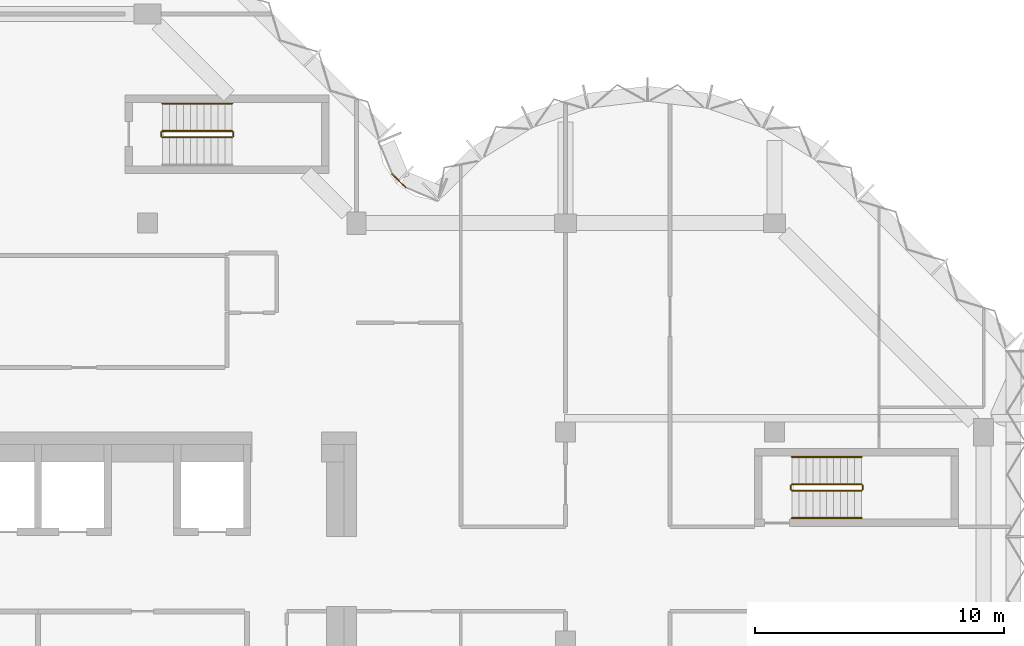
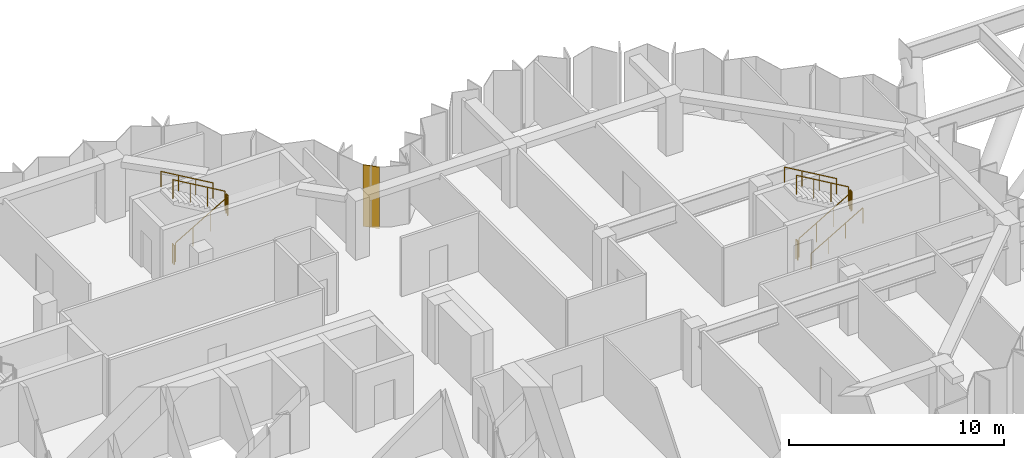
# One storey, part 11 of 11: 11 railings, 1 covering, 1 element without a shape of its own.
"""IFC4 building model written with IfcOpenShell, lengths in metres."""

import ifcopenshell
import ifcopenshell.guid

model = None  # the IFC model being written
_history = None  # IfcOwnerHistory: only IFC2X3 demands one
_inside = {}  # id of a spatial element -> (the spatial element, [elements in it])
_under = {}  # id of a project, library or spatial element -> (it, [spatial elements below it])
_declared = {}  # id of a project -> (the project, [libraries it declares])
_typed = {}  # id of a type object -> (the type object, [elements of that type])
_made_of = {}  # id of a material, layer set ... -> (it, [elements and type objects made of it])


def new_model(schema):
    """Start an empty IFC model of exactly this schema.

    Asked for "IFC4X3", IfcOpenShell would pick the latest addendum, in which some entities
    have other attributes; the version numbers below select the first issue.
    IFC2X3 requires an IfcOwnerHistory on every rooted entity: one is made here for all.
    """
    global model, _history
    if schema == "IFC4X3":
        model = ifcopenshell.file(schema_version=(4, 3, 0, 0))
    else:
        model = ifcopenshell.file(schema=schema)
    _inside.clear()
    _under.clear()
    _declared.clear()
    _typed.clear()
    _made_of.clear()
    _history = None
    if model.schema == "IFC2X3":
        org = make("IfcOrganization", Name="unknown")
        user = make(
            "IfcPersonAndOrganization",
            ThePerson=make("IfcPerson", FamilyName="unknown"),
            TheOrganization=org,
        )
        app = make(
            "IfcApplication",
            ApplicationDeveloper=org,
            Version="unknown",
            ApplicationFullName="unknown",
            ApplicationIdentifier="unknown",
        )
        _history = make(
            "IfcOwnerHistory",
            OwningUser=user,
            OwningApplication=app,
            ChangeAction="ADDED",
            CreationDate=0,
        )
    return model


def make(cls, **values):
    """One entity of the class cls with the attributes given. An attribute that is None is left unset."""
    return model.create_entity(
        cls, **{name: value for name, value in values.items() if value is not None}
    )


def rooted(cls, **values):
    """An entity with a GlobalId (a new one), such as an element, a storey or a relation."""
    return make(cls, GlobalId=ifcopenshell.guid.new(), OwnerHistory=_history, **values)


def si_unit(unit_type, name, prefix=None):
    """IfcSIUnit, for example si_unit("LENGTHUNIT", "METRE", prefix="MILLI")."""
    return make("IfcSIUnit", UnitType=unit_type, Prefix=prefix, Name=name)


def assignment(units):
    """IfcUnitAssignment: the units of a project."""
    return None if units is None else make("IfcUnitAssignment", Units=units)


def point(xyz):
    """IfcCartesianPoint."""
    return None if xyz is None else make("IfcCartesianPoint", Coordinates=xyz)


def direction(xyz):
    """IfcDirection."""
    return None if xyz is None else make("IfcDirection", DirectionRatios=xyz)


def frame(location, z_axis=None, x_axis=None):
    """IfcAxis2Placement3D, a coordinate frame: its origin and axes. An axis left out is left unset."""
    return make(
        "IfcAxis2Placement3D",
        Location=point(location),
        Axis=direction(z_axis),
        RefDirection=direction(x_axis),
    )


def frame_2d(location, x_axis=None):
    """IfcAxis2Placement2D, a coordinate frame in the plane: its origin and x axis."""
    return make(
        "IfcAxis2Placement2D", Location=point(location), RefDirection=direction(x_axis)
    )


def origin():
    """The frame at (0, 0, 0) with its axes left unset."""
    return frame((0.0, 0.0, 0.0))


def origin_2d():
    """The frame at (0, 0) in the plane with its x axis left unset."""
    return frame_2d((0.0, 0.0))


def place(relative_to, where):
    """IfcLocalPlacement: puts the frame where relative to a parent placement (None: the world)."""
    return make(
        "IfcLocalPlacement", PlacementRelTo=relative_to, RelativePlacement=where
    )


def context(
    kind, dimensions, precision=None, world=None, true_north=None, identifier=None
):
    """IfcGeometricRepresentationContext, for example the 3D "Model" context."""
    return make(
        "IfcGeometricRepresentationContext",
        ContextIdentifier=identifier,
        ContextType=kind,
        CoordinateSpaceDimension=dimensions,
        Precision=precision,
        WorldCoordinateSystem=world,
        TrueNorth=true_north,
    )


def subcontext(parent, identifier, kind, view, scale=None):
    """IfcGeometricRepresentationSubContext, for example "Body" below "Model"."""
    return make(
        "IfcGeometricRepresentationSubContext",
        ContextIdentifier=identifier,
        ContextType=kind,
        ParentContext=parent,
        TargetScale=scale,
        TargetView=view,
    )


def project(units=None, contexts=None):
    """IfcProject with its units and contexts."""
    return rooted(
        "IfcProject",
        Name="project",
        RepresentationContexts=contexts,
        UnitsInContext=assignment(units),
    )


def spatial(cls, under=None, at=None, **own):
    """A site, building, storey or space (cls), placed at a placement, below another one or the project."""
    s = rooted(cls, ObjectPlacement=at, **own)
    if under is not None:
        _under.setdefault(under.id(), (under, []))[1].append(s)
    return s


def polyline(points):
    """IfcPolyline through the points."""
    return make("IfcPolyline", Points=[point(p) for p in points])


def profile(cls, at=None, kind="AREA", **sizes):
    """A parametric profile (cls). Its sizes go by their IFC names, for example OverallWidth=200.0."""
    return make(cls, ProfileType=kind, Position=at, **sizes)


def circle(**sizes):
    """IfcCircleProfileDef."""
    return profile("IfcCircleProfileDef", **sizes)


def outline(outer, holes=None, kind="AREA"):
    """IfcArbitraryClosedProfileDef: a profile drawn as a closed curve; with holes, ...WithVoids."""
    if holes is None:
        return make("IfcArbitraryClosedProfileDef", ProfileType=kind, OuterCurve=outer)
    return make(
        "IfcArbitraryProfileDefWithVoids",
        ProfileType=kind,
        OuterCurve=outer,
        InnerCurves=holes,
    )


def extrude(swept, where, along, depth):
    """IfcExtrudedAreaSolid: the profile swept, set in the frame where, extruded along a direction by depth."""
    return make(
        "IfcExtrudedAreaSolid",
        SweptArea=swept,
        Position=where,
        ExtrudedDirection=direction(along),
        Depth=depth,
    )


def shape(context_of_items, identifier, shape_type, items):
    """IfcShapeRepresentation: the items that make up one representation, for example the "Body"."""
    return make(
        "IfcShapeRepresentation",
        ContextOfItems=context_of_items,
        RepresentationIdentifier=identifier,
        RepresentationType=shape_type,
        Items=items,
    )


def material(Name=None, Category=None):
    """IfcMaterial."""
    return make("IfcMaterial", Name=Name, Category=Category)


def layer(
    of_material, thickness, ventilated=None, Name=None, Category=None, Priority=None
):
    """IfcMaterialLayer: one layer of a wall or slab, of a material (None: an air gap)."""
    return make(
        "IfcMaterialLayer",
        Material=of_material,
        LayerThickness=thickness,
        IsVentilated=ventilated,
        Name=Name,
        Category=Category,
        Priority=Priority,
    )


def layer_set(layers, Name=None):
    """IfcMaterialLayerSet."""
    return make("IfcMaterialLayerSet", MaterialLayers=layers, LayerSetName=Name)


def made_of(thing, what):
    """Note that an element or type object is made of a material, layer set ...; save() writes the relation."""
    if what is not None:
        _made_of.setdefault(what.id(), (what, []))[1].append(thing)
    return thing


def type_object(cls, material=None, **own):
    """A type object (cls), such as IfcWallType, which elements share."""
    return made_of(rooted(cls, **own), material)


def element(
    cls,
    number,
    at=None,
    inside=None,
    cuts=None,
    type_object=None,
    material=None,
    context=None,
    identifier="Body",
    shape_type=None,
    held_by="IfcProductDefinitionShape",
    body=None,
    shapes=None,
    **own,
):
    """One element of the class cls, such as IfcWall. Its Tag is "e" and its number.

    at: its placement. inside: the storey or other place that contains it. cuts: it is an
    opening in that element (IfcRelVoidsElement). A single representation is given by context,
    identifier, shape_type and body (its items); several are given by shapes. held_by: the class
    of the entity that holds the representations. save() writes the other relations.
    """
    e = rooted(cls, Tag="e%d" % number, ObjectPlacement=at, **own)
    if body is not None:
        shapes = [shape(context, identifier, shape_type, body)]
    if shapes is not None:
        e.Representation = make(held_by, Representations=shapes)
    if inside is not None:
        _inside.setdefault(inside.id(), (inside, []))[1].append(e)
    if cuts is not None:
        rooted(
            "IfcRelVoidsElement", RelatingBuildingElement=cuts, RelatedOpeningElement=e
        )
    if type_object is not None:
        _typed.setdefault(type_object.id(), (type_object, []))[1].append(e)
    return made_of(e, material)


def aggregate(whole, parts):
    """IfcRelAggregates: a whole, such as a stair, and the parts it consists of."""
    return rooted("IfcRelAggregates", RelatingObject=whole, RelatedObjects=parts)


def save(model, path):
    """Write the relations noted so far, then the file.

    IfcRelAggregates (storeys below a building ...), IfcRelContainedInSpatialStructure (elements
    in a storey), IfcRelDefinesByType, IfcRelAssociatesMaterial and IfcRelDeclares: one each for
    every whole, place, type object, material and project.
    """
    for whole, parts in _under.values():
        aggregate(whole, parts)
    for where, things in _inside.values():
        rooted(
            "IfcRelContainedInSpatialStructure",
            RelatedElements=things,
            RelatingStructure=where,
        )
    for kind, things in _typed.values():
        rooted("IfcRelDefinesByType", RelatedObjects=things, RelatingType=kind)
    for what, things in _made_of.values():
        rooted("IfcRelAssociatesMaterial", RelatedObjects=things, RelatingMaterial=what)
    for by, libraries in _declared.values():
        rooted("IfcRelDeclares", RelatingContext=by, RelatedDefinitions=libraries)
    model.write(path)


model = new_model("IFC4")

# Units and contexts
model_context = context("Model", 3, precision=1e-05, world=origin(), true_north=direction((0.0, 1.0)))
body_context = subcontext(model_context, "Body", "Model", "MODEL_VIEW")
ifc_project = project(units=[si_unit("LENGTHUNIT", "METRE"), si_unit("AREAUNIT", "SQUARE_METRE"), si_unit("VOLUMEUNIT", "CUBIC_METRE"), si_unit("PLANEANGLEUNIT", "RADIAN"), si_unit("MASSUNIT", "GRAM", prefix="KILO")], contexts=[model_context])

# Site, building, storey
site_placement = place(None, origin())
site = spatial("IfcSite", under=ifc_project, at=site_placement, CompositionType="ELEMENT")
building_placement = place(site_placement, origin())
building = spatial("IfcBuilding", under=site, at=building_placement, Name="Brevane Broadcast Tower", CompositionType="ELEMENT")
storey_placement = place(building_placement, frame((0.0, 0.0, 219.300048828125)))
storey = spatial("IfcBuildingStorey", under=building, at=storey_placement, Name="L55", CompositionType="ELEMENT", Elevation=219.300048828125)

# Railings
ifc_material_1 = material(Name="Steel S355", Category="steel")
railing_type_1 = type_object("IfcRailingType", Name="Exit stair guard", PredefinedType="GUARDRAIL", material=ifc_material_1)
railing_1_placement = place(storey_placement, frame((17.39990234375, 28.64990234375, 0.16357421875)))
element("IfcRailing", 1, at=railing_1_placement, inside=storey, type_object=railing_type_1, Name="L55 ST-3 stair guard 1", PredefinedType="GUARDRAIL", context=body_context, shape_type="SweptSolid", body=[
    extrude(circle(Radius=0.02392578125, at=origin_2d()), frame((0.0, 0.0, 1.076171875), z_axis=(0.863360870873, 0.0, 0.504586966384), x_axis=(0.0, 1.0, 0.0)), (0.0, 0.0, 1.0), 3.2431640625),
    extrude(circle(Radius=0.02099609375, at=origin_2d()), origin(), (0.0, 0.0, 1.0), 1.052001953125),
    extrude(circle(Radius=0.02099609375, at=origin_2d()), frame((0.933349609375, 0.0, 0.54541015625)), (0.0, 0.0, 1.0), 1.052001953125),
    extrude(circle(Radius=0.02099609375, at=origin_2d()), frame((1.86669921875, 0.0, 1.091064453125)), (0.0, 0.0, 1.0), 1.052001953125),
    extrude(circle(Radius=0.02099609375, at=origin_2d()), frame((2.800048828125, 0.0, 1.636474609375)), (0.0, 0.0, 1.0), 1.052001953125),
])
railing_2_placement = place(storey_placement, frame((20.25, 28.699951171875, 1.800048828125)))
element("IfcRailing", 2, at=railing_2_placement, inside=storey, type_object=railing_type_1, Name="L55 ST-3 stair guard 2", PredefinedType="GUARDRAIL", context=body_context, shape_type="SweptSolid", body=[
    extrude(circle(Radius=0.02392578125, at=origin_2d()), frame((0.0, 0.0, 1.076171875), z_axis=(0.0, 1.0, 0.0), x_axis=(-1.0, 0.0, 0.0)), (0.0, 0.0, 1.0), 0.150146484375),
    extrude(circle(Radius=0.02099609375, at=origin_2d()), origin(), (0.0, 0.0, 1.0), 1.052001953125),
    extrude(circle(Radius=0.02099609375, at=origin_2d()), frame((0.0, 0.150146484375, 0.0)), (0.0, 0.0, 1.0), 1.052001953125),
])
railing_3_placement = place(storey_placement, frame((20.199951171875, 28.89990234375, 1.963623046875)))
element("IfcRailing", 3, at=railing_3_placement, inside=storey, type_object=railing_type_1, Name="L55 ST-3 stair guard 3", PredefinedType="GUARDRAIL", context=body_context, shape_type="SweptSolid", body=[
    extrude(circle(Radius=0.02392578125, at=origin_2d()), frame((0.0, 0.0, 1.076171875), z_axis=(-0.863393664356, 0.0, 0.504530851732), x_axis=(0.0, -1.0, 0.0)), (0.0, 0.0, 1.0), 3.2431640625),
    extrude(circle(Radius=0.02099609375, at=origin_2d()), origin(), (0.0, 0.0, 1.0), 1.052001953125),
    extrude(circle(Radius=0.02099609375, at=origin_2d()), frame((-0.933349609375, 0.0, 0.54541015625)), (0.0, 0.0, 1.0), 1.052001953125),
    extrude(circle(Radius=0.02099609375, at=origin_2d()), frame((-1.86669921875, 0.0, 1.0908203125)), (0.0, 0.0, 1.0), 1.052001953125),
    extrude(circle(Radius=0.02099609375, at=origin_2d()), frame((-2.800048828125, 0.0, 1.63623046875)), (0.0, 0.0, 1.0), 1.052001953125),
])
railing_4_placement = place(storey_placement, frame((17.35009765625, 28.699951171875, 0.0)))
element("IfcRailing", 4, at=railing_4_placement, inside=storey, type_object=railing_type_1, Name="L55 ST-3 stair guard 4", PredefinedType="GUARDRAIL", context=body_context, shape_type="SweptSolid", body=[
    extrude(circle(Radius=0.02392578125, at=origin_2d()), frame((0.0, 0.0, 1.076171875), z_axis=(0.0, 1.0, 0.0), x_axis=(-1.0, 0.0, 0.0)), (0.0, 0.0, 1.0), 0.150146484375),
    extrude(circle(Radius=0.02099609375, at=origin_2d()), origin(), (0.0, 0.0, 1.0), 1.052001953125),
    extrude(circle(Radius=0.02099609375, at=origin_2d()), frame((0.0, 0.150146484375, 0.0)), (0.0, 0.0, 1.0), 1.052001953125),
])
railing_5_placement = place(storey_placement, frame((42.699951171875, 14.449951171875, 0.16357421875)))
element("IfcRailing", 5, at=railing_5_placement, inside=storey, type_object=railing_type_1, Name="L55 ST-4 stair guard 1", PredefinedType="GUARDRAIL", context=body_context, shape_type="SweptSolid", body=[
    extrude(circle(Radius=0.02392578125, at=origin_2d()), frame((0.0, 0.0, 1.076171875), z_axis=(0.863360870873, 0.0, 0.504586966384), x_axis=(0.0, 1.0, 0.0)), (0.0, 0.0, 1.0), 3.2431640625),
    extrude(circle(Radius=0.02099609375, at=origin_2d()), origin(), (0.0, 0.0, 1.0), 1.052001953125),
    extrude(circle(Radius=0.02099609375, at=origin_2d()), frame((0.933349609375, 0.0, 0.54541015625)), (0.0, 0.0, 1.0), 1.052001953125),
    extrude(circle(Radius=0.02099609375, at=origin_2d()), frame((1.86669921875, 0.0, 1.091064453125)), (0.0, 0.0, 1.0), 1.052001953125),
    extrude(circle(Radius=0.02099609375, at=origin_2d()), frame((2.800048828125, 0.0, 1.636474609375)), (0.0, 0.0, 1.0), 1.052001953125),
])
railing_6_placement = place(storey_placement, frame((45.550048828125, 14.5, 1.800048828125)))
element("IfcRailing", 6, at=railing_6_placement, inside=storey, type_object=railing_type_1, Name="L55 ST-4 stair guard 2", PredefinedType="GUARDRAIL", context=body_context, shape_type="SweptSolid", body=[
    extrude(circle(Radius=0.02392578125, at=origin_2d()), frame((0.0, 0.0, 1.076171875), z_axis=(0.0, 1.0, 0.0), x_axis=(-1.0, 0.0, 0.0)), (0.0, 0.0, 1.0), 0.14990234375),
    extrude(circle(Radius=0.02099609375, at=origin_2d()), origin(), (0.0, 0.0, 1.0), 1.052001953125),
    extrude(circle(Radius=0.02099609375, at=origin_2d()), frame((0.0, 0.14990234375, 0.0)), (0.0, 0.0, 1.0), 1.052001953125),
])
railing_7_placement = place(storey_placement, frame((45.5, 14.699951171875, 1.963623046875)))
element("IfcRailing", 7, at=railing_7_placement, inside=storey, type_object=railing_type_1, Name="L55 ST-4 stair guard 3", PredefinedType="GUARDRAIL", context=body_context, shape_type="SweptSolid", body=[
    extrude(circle(Radius=0.02392578125, at=origin_2d()), frame((0.0, 0.0, 1.076171875), z_axis=(-0.863393664356, 0.0, 0.504530851732), x_axis=(0.0, -1.0, 0.0)), (0.0, 0.0, 1.0), 3.2431640625),
    extrude(circle(Radius=0.02099609375, at=origin_2d()), origin(), (0.0, 0.0, 1.0), 1.052001953125),
    extrude(circle(Radius=0.02099609375, at=origin_2d()), frame((-0.933349609375, 0.0, 0.54541015625)), (0.0, 0.0, 1.0), 1.052001953125),
    extrude(circle(Radius=0.02099609375, at=origin_2d()), frame((-1.86669921875, 0.0, 1.0908203125)), (0.0, 0.0, 1.0), 1.052001953125),
    extrude(circle(Radius=0.02099609375, at=origin_2d()), frame((-2.800048828125, 0.0, 1.63623046875)), (0.0, 0.0, 1.0), 1.052001953125),
])
railing_8_placement = place(storey_placement, frame((42.64990234375, 14.5, 0.0)))
element("IfcRailing", 8, at=railing_8_placement, inside=storey, type_object=railing_type_1, Name="L55 ST-4 stair guard 4", PredefinedType="GUARDRAIL", context=body_context, shape_type="SweptSolid", body=[
    extrude(circle(Radius=0.02392578125, at=origin_2d()), frame((0.0, 0.0, 1.076171875), z_axis=(0.0, 1.0, 0.0), x_axis=(-1.0, 0.0, 0.0)), (0.0, 0.0, 1.0), 0.14990234375),
    extrude(circle(Radius=0.02099609375, at=origin_2d()), origin(), (0.0, 0.0, 1.0), 1.052001953125),
    extrude(circle(Radius=0.02099609375, at=origin_2d()), frame((0.0, 0.14990234375, 0.0)), (0.0, 0.0, 1.0), 1.052001953125),
])
railing_type_2 = type_object("IfcRailingType", Name="Exit stair handrail", PredefinedType="HANDRAIL", material=ifc_material_1)
railing_9_placement = place(storey_placement, frame((20.199951171875, 30.0, 1.963623046875)))
element("IfcRailing", 9, at=railing_9_placement, inside=storey, type_object=railing_type_2, Name="L55 ST-3 stair handrail 2", PredefinedType="HANDRAIL", context=body_context, shape_type="SweptSolid", body=[
    extrude(circle(Radius=0.02392578125, at=origin_2d()), frame((0.0, 0.0, 0.8759765625), z_axis=(-0.863393664356, 0.0, 0.504530851732), x_axis=(0.0, -1.0, 0.0)), (0.0, 0.0, 1.0), 3.2431640625),
    extrude(circle(Radius=0.02099609375, at=origin_2d()), origin(), (0.0, 0.0, 1.0), 0.851806640625),
    extrude(circle(Radius=0.02099609375, at=origin_2d()), frame((-0.933349609375, 0.0, 0.54541015625)), (0.0, 0.0, 1.0), 0.851806640625),
    extrude(circle(Radius=0.02099609375, at=origin_2d()), frame((-1.86669921875, 0.0, 1.0908203125)), (0.0, 0.0, 1.0), 0.851806640625),
    extrude(circle(Radius=0.02099609375, at=origin_2d()), frame((-2.800048828125, 0.0, 1.63623046875)), (0.0, 0.0, 1.0), 0.851806640625),
])
railing_10_placement = place(storey_placement, frame((42.699951171875, 13.35009765625, 0.16357421875)))
element("IfcRailing", 10, at=railing_10_placement, inside=storey, type_object=railing_type_2, Name="L55 ST-4 stair handrail 1", PredefinedType="HANDRAIL", context=body_context, shape_type="SweptSolid", body=[
    extrude(circle(Radius=0.02392578125, at=origin_2d()), frame((0.0, 0.0, 0.8759765625), z_axis=(0.863360870873, 0.0, 0.504586966384), x_axis=(0.0, 1.0, 0.0)), (0.0, 0.0, 1.0), 3.2431640625),
    extrude(circle(Radius=0.02099609375, at=origin_2d()), origin(), (0.0, 0.0, 1.0), 0.851806640625),
    extrude(circle(Radius=0.02099609375, at=origin_2d()), frame((0.933349609375, 0.0, 0.54541015625)), (0.0, 0.0, 1.0), 0.851806640625),
    extrude(circle(Radius=0.02099609375, at=origin_2d()), frame((1.86669921875, 0.0, 1.091064453125)), (0.0, 0.0, 1.0), 0.851806640625),
    extrude(circle(Radius=0.02099609375, at=origin_2d()), frame((2.800048828125, 0.0, 1.636474609375)), (0.0, 0.0, 1.0), 0.851806640625),
])
railing_11_placement = place(storey_placement, frame((45.5, 15.800048828125, 1.963623046875)))
element("IfcRailing", 11, at=railing_11_placement, inside=storey, type_object=railing_type_2, Name="L55 ST-4 stair handrail 2", PredefinedType="HANDRAIL", context=body_context, shape_type="SweptSolid", body=[
    extrude(circle(Radius=0.02392578125, at=origin_2d()), frame((0.0, 0.0, 0.8759765625), z_axis=(-0.863393664356, 0.0, 0.504530851732), x_axis=(0.0, -1.0, 0.0)), (0.0, 0.0, 1.0), 3.2431640625),
    extrude(circle(Radius=0.02099609375, at=origin_2d()), origin(), (0.0, 0.0, 1.0), 0.851806640625),
    extrude(circle(Radius=0.02099609375, at=origin_2d()), frame((-0.933349609375, 0.0, 0.54541015625)), (0.0, 0.0, 1.0), 0.851806640625),
    extrude(circle(Radius=0.02099609375, at=origin_2d()), frame((-1.86669921875, 0.0, 1.0908203125)), (0.0, 0.0, 1.0), 0.851806640625),
    extrude(circle(Radius=0.02099609375, at=origin_2d()), frame((-2.800048828125, 0.0, 1.63623046875)), (0.0, 0.0, 1.0), 0.851806640625),
])

# Curtain wall, covering
ifc_material_2 = material(Name="Aluminium 6063-T6 bronze anodised", Category="aluminium")
curtain_wall_type = type_object("IfcCurtainWallType", Name="CW-1 curtain wall", PredefinedType="NOTDEFINED", material=ifc_material_2)
curtain_wall_placement = place(storey_placement, origin())
curtain_wall = element("IfcCurtainWall", 12, at=curtain_wall_placement, inside=storey, type_object=curtain_wall_type, Name="CW-1 typical tilted unit L55 inner corner", PredefinedType="NOTDEFINED")
ifc_material_3 = material(Name="Back-painted bronze glass shadow-box", Category="glass")
ifc_layer = layer(ifc_material_3, 0.0400390625)
ifc_layer_set = layer_set([ifc_layer], Name="Shadow-box panel 40")
covering_type = type_object("IfcCoveringType", Name="Shadow-box panel 40", PredefinedType="CLADDING", material=ifc_layer_set)
covering_placement = place(storey_placement, frame((0.0, 0.0, -0.150146484375)))
covering = element("IfcCovering", 13, at=covering_placement, type_object=covering_type, Name="Closure panel", PredefinedType="CLADDING", context=body_context, shape_type="SweptSolid", body=[
    extrude(outline(polyline([(27.17138671875, 26.60498046875), (27.2021484375, 26.635498046875), (26.635498046875, 27.2021484375), (26.60498046875, 27.17138671875), (27.17138671875, 26.60498046875)])), origin(), (0.0, 0.0, 1.0), 3.5),
])
aggregate(curtain_wall, [covering])

save(model, "model.ifc")
